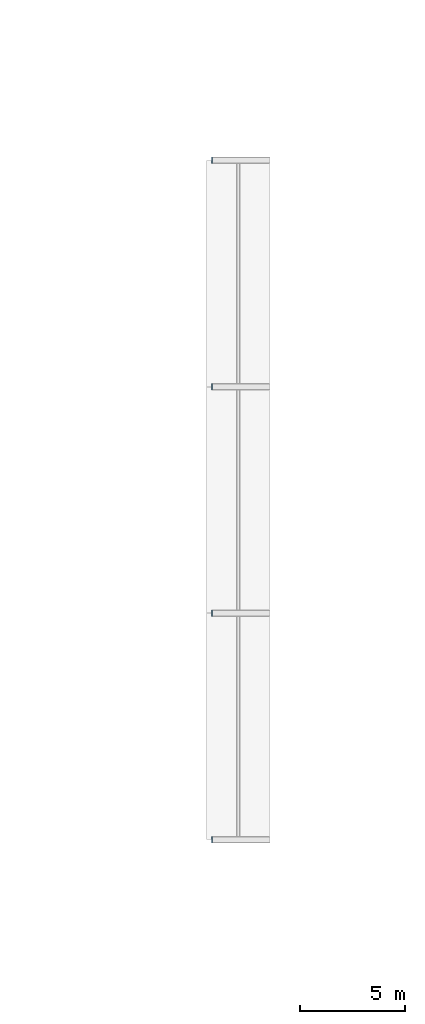
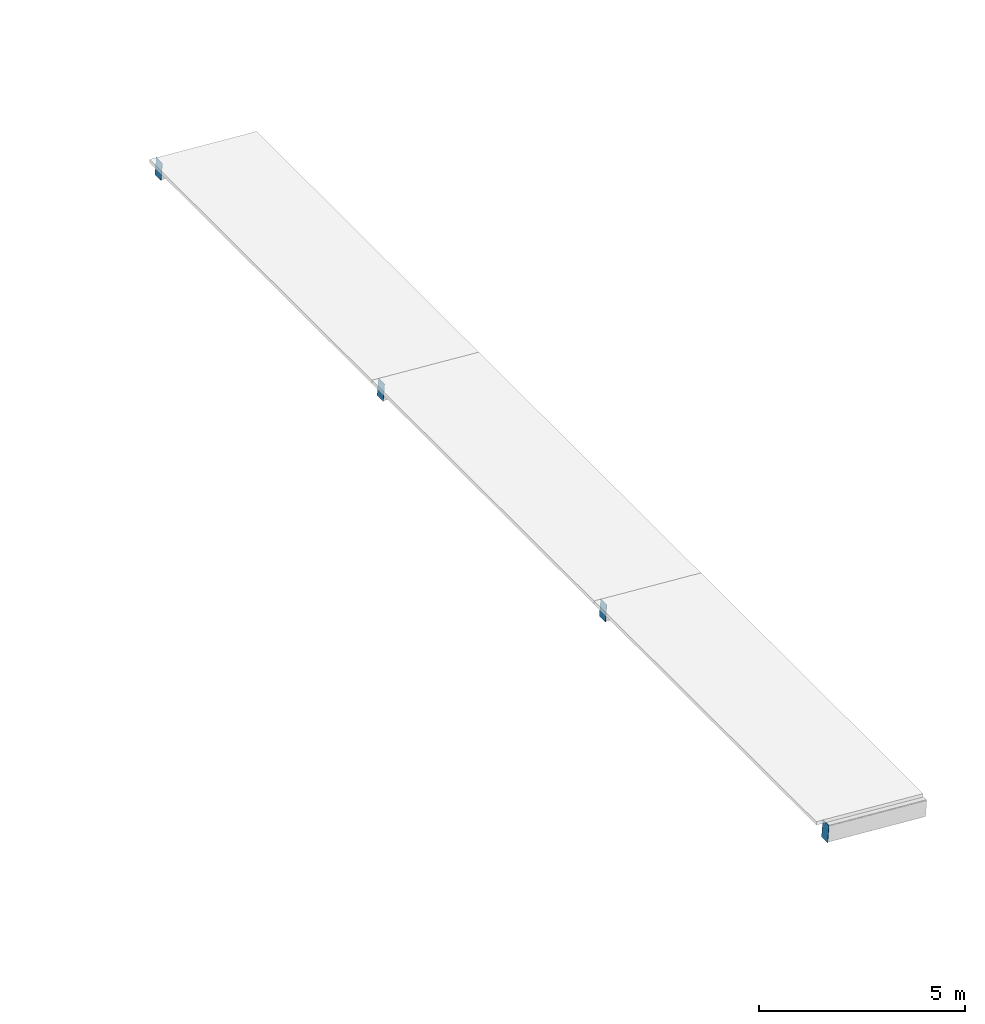
# One storey, part 42 of 56: 4 plates.
"""IFC4 building model written with IfcOpenShell, lengths in metres."""

from ifc_helpers import new_model, si_unit, direction, frame, origin, origin_2d, place, context, subcontext, project, spatial, rectangle, extrude, material, material_profile, profile_set, type_object, element, save


model = new_model("IFC4")

# Units and contexts
model_context = context("Model", 3, precision=1e-05, world=origin(), true_north=direction((0.0, 1.0)))
body_context = subcontext(model_context, "Body", "Model", "MODEL_VIEW")
ifc_project = project(units=[si_unit("LENGTHUNIT", "METRE"), si_unit("AREAUNIT", "SQUARE_METRE"), si_unit("VOLUMEUNIT", "CUBIC_METRE"), si_unit("PLANEANGLEUNIT", "RADIAN"), si_unit("MASSUNIT", "GRAM", prefix="KILO")], contexts=[model_context])

# Site, building, storey
site_placement = place(None, origin())
site = spatial("IfcSite", under=ifc_project, at=site_placement, CompositionType="ELEMENT")
building_placement = place(site_placement, origin())
building = spatial("IfcBuilding", under=site, at=building_placement, Name="Magnolia Steps Interchange", CompositionType="ELEMENT")
storey_placement = place(building_placement, frame((0.0, 0.0, 8.699951171875)))
storey = spatial("IfcBuildingStorey", under=building, at=storey_placement, Name="L02", CompositionType="ELEMENT", Elevation=8.699951171875)

# Plates
ifc_material = material(Name="Steel Q355B", Category="steel")
ifc_material_profile = material_profile(ifc_material, rectangle(XDim=0.300048828125, YDim=0.5, at=origin_2d()), Name="End plate RHS500x300x16")
ifc_profile_set = profile_set([ifc_material_profile], Name="Steel Q355B")
plate_type = type_object("IfcPlateType", Name="End plate RHS500x300x16", PredefinedType="SHEET", material=ifc_profile_set)
for number, where, z_axis, x_axis, name in (
    (1, (147.659912109375, 42.39990234375, 0.130126953125), (-0.997351913919, 0.0, 0.072726609994), (0.0, -1.0, 0.0), "End plate Roof beam"),
    (2, (147.659912109375, 53.199951171875, 0.130126953125), (-0.997351913919, 0.0, 0.072726609994), (0.0, -1.0, 0.0), "End plate Roof beam"),
    (3, (147.659912109375, 64.0, 0.130126953125), (-0.997351913919, 0.0, 0.072726609994), (0.0, -1.0, 0.0), "End plate Roof beam"),
    (4, (147.659912109375, 74.800048828125, 0.130126953125), (-0.997351913919, 0.0, 0.072726609994), (0.0, -1.0, 0.0), "End plate Roof beam"),
):
    element("IfcPlate", number, at=place(storey_placement, frame(where, z_axis=z_axis, x_axis=x_axis)), inside=storey, type_object=plate_type, Name=name, PredefinedType="SHEET", context=body_context, shape_type="SweptSolid", body=[
        extrude(rectangle(XDim=0.300048828125, YDim=0.5, at=origin_2d()), origin(), (0.0, 0.0, 1.0), 0.008056640625),
    ])

save(model, "model.ifc")
